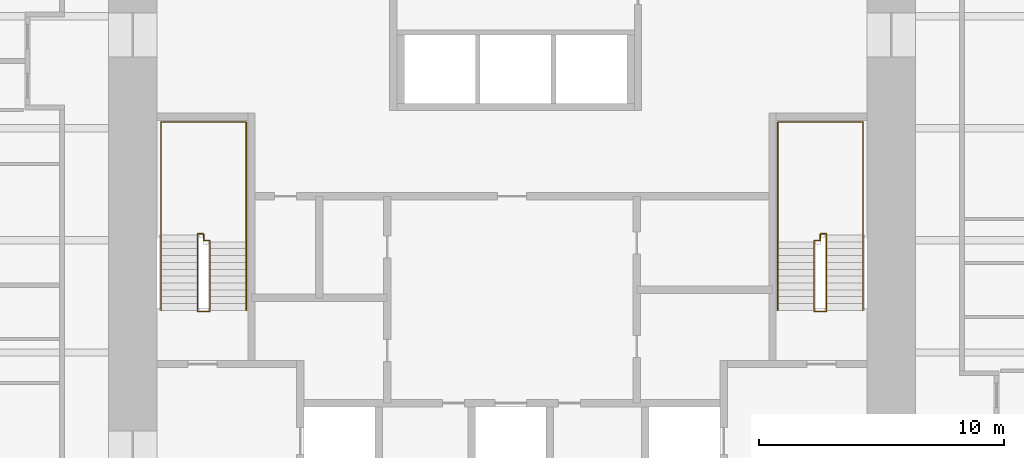
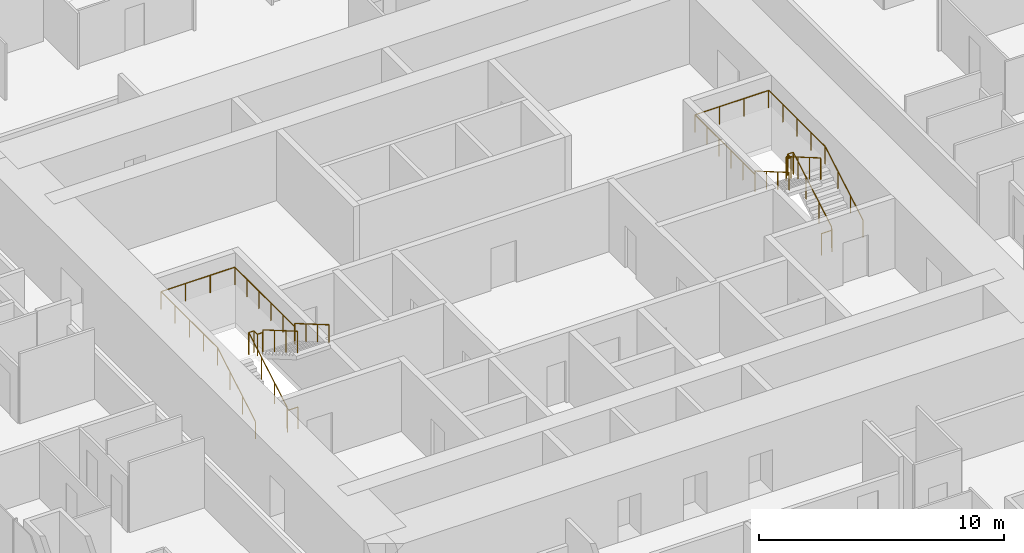
# One storey, part 12 of 12: 4 railings.
"""IFC4 building model written with IfcOpenShell, lengths in metres."""

import ifcopenshell
import ifcopenshell.guid

model = None  # the IFC model being written
_history = None  # IfcOwnerHistory: only IFC2X3 demands one
_inside = {}  # id of a spatial element -> (the spatial element, [elements in it])
_under = {}  # id of a project, library or spatial element -> (it, [spatial elements below it])
_declared = {}  # id of a project -> (the project, [libraries it declares])
_typed = {}  # id of a type object -> (the type object, [elements of that type])
_made_of = {}  # id of a material, layer set ... -> (it, [elements and type objects made of it])


def new_model(schema):
    """Start an empty IFC model of exactly this schema.

    Asked for "IFC4X3", IfcOpenShell would pick the latest addendum, in which some entities
    have other attributes; the version numbers below select the first issue.
    IFC2X3 requires an IfcOwnerHistory on every rooted entity: one is made here for all.
    """
    global model, _history
    if schema == "IFC4X3":
        model = ifcopenshell.file(schema_version=(4, 3, 0, 0))
    else:
        model = ifcopenshell.file(schema=schema)
    _inside.clear()
    _under.clear()
    _declared.clear()
    _typed.clear()
    _made_of.clear()
    _history = None
    if model.schema == "IFC2X3":
        org = make("IfcOrganization", Name="unknown")
        user = make(
            "IfcPersonAndOrganization",
            ThePerson=make("IfcPerson", FamilyName="unknown"),
            TheOrganization=org,
        )
        app = make(
            "IfcApplication",
            ApplicationDeveloper=org,
            Version="unknown",
            ApplicationFullName="unknown",
            ApplicationIdentifier="unknown",
        )
        _history = make(
            "IfcOwnerHistory",
            OwningUser=user,
            OwningApplication=app,
            ChangeAction="ADDED",
            CreationDate=0,
        )
    return model


def make(cls, **values):
    """One entity of the class cls with the attributes given. An attribute that is None is left unset."""
    return model.create_entity(
        cls, **{name: value for name, value in values.items() if value is not None}
    )


def rooted(cls, **values):
    """An entity with a GlobalId (a new one), such as an element, a storey or a relation."""
    return make(cls, GlobalId=ifcopenshell.guid.new(), OwnerHistory=_history, **values)


def si_unit(unit_type, name, prefix=None):
    """IfcSIUnit, for example si_unit("LENGTHUNIT", "METRE", prefix="MILLI")."""
    return make("IfcSIUnit", UnitType=unit_type, Prefix=prefix, Name=name)


def assignment(units):
    """IfcUnitAssignment: the units of a project."""
    return None if units is None else make("IfcUnitAssignment", Units=units)


def point(xyz):
    """IfcCartesianPoint."""
    return None if xyz is None else make("IfcCartesianPoint", Coordinates=xyz)


def direction(xyz):
    """IfcDirection."""
    return None if xyz is None else make("IfcDirection", DirectionRatios=xyz)


def frame(location, z_axis=None, x_axis=None):
    """IfcAxis2Placement3D, a coordinate frame: its origin and axes. An axis left out is left unset."""
    return make(
        "IfcAxis2Placement3D",
        Location=point(location),
        Axis=direction(z_axis),
        RefDirection=direction(x_axis),
    )


def frame_2d(location, x_axis=None):
    """IfcAxis2Placement2D, a coordinate frame in the plane: its origin and x axis."""
    return make(
        "IfcAxis2Placement2D", Location=point(location), RefDirection=direction(x_axis)
    )


def origin():
    """The frame at (0, 0, 0) with its axes left unset."""
    return frame((0.0, 0.0, 0.0))


def origin_2d():
    """The frame at (0, 0) in the plane with its x axis left unset."""
    return frame_2d((0.0, 0.0))


def place(relative_to, where):
    """IfcLocalPlacement: puts the frame where relative to a parent placement (None: the world)."""
    return make(
        "IfcLocalPlacement", PlacementRelTo=relative_to, RelativePlacement=where
    )


def context(
    kind, dimensions, precision=None, world=None, true_north=None, identifier=None
):
    """IfcGeometricRepresentationContext, for example the 3D "Model" context."""
    return make(
        "IfcGeometricRepresentationContext",
        ContextIdentifier=identifier,
        ContextType=kind,
        CoordinateSpaceDimension=dimensions,
        Precision=precision,
        WorldCoordinateSystem=world,
        TrueNorth=true_north,
    )


def subcontext(parent, identifier, kind, view, scale=None):
    """IfcGeometricRepresentationSubContext, for example "Body" below "Model"."""
    return make(
        "IfcGeometricRepresentationSubContext",
        ContextIdentifier=identifier,
        ContextType=kind,
        ParentContext=parent,
        TargetScale=scale,
        TargetView=view,
    )


def project(units=None, contexts=None):
    """IfcProject with its units and contexts."""
    return rooted(
        "IfcProject",
        Name="project",
        RepresentationContexts=contexts,
        UnitsInContext=assignment(units),
    )


def spatial(cls, under=None, at=None, **own):
    """A site, building, storey or space (cls), placed at a placement, below another one or the project."""
    s = rooted(cls, ObjectPlacement=at, **own)
    if under is not None:
        _under.setdefault(under.id(), (under, []))[1].append(s)
    return s


def profile(cls, at=None, kind="AREA", **sizes):
    """A parametric profile (cls). Its sizes go by their IFC names, for example OverallWidth=200.0."""
    return make(cls, ProfileType=kind, Position=at, **sizes)


def circle(**sizes):
    """IfcCircleProfileDef."""
    return profile("IfcCircleProfileDef", **sizes)


def extrude(swept, where, along, depth):
    """IfcExtrudedAreaSolid: the profile swept, set in the frame where, extruded along a direction by depth."""
    return make(
        "IfcExtrudedAreaSolid",
        SweptArea=swept,
        Position=where,
        ExtrudedDirection=direction(along),
        Depth=depth,
    )


def shape(context_of_items, identifier, shape_type, items):
    """IfcShapeRepresentation: the items that make up one representation, for example the "Body"."""
    return make(
        "IfcShapeRepresentation",
        ContextOfItems=context_of_items,
        RepresentationIdentifier=identifier,
        RepresentationType=shape_type,
        Items=items,
    )


def material(Name=None, Category=None):
    """IfcMaterial."""
    return make("IfcMaterial", Name=Name, Category=Category)


def made_of(thing, what):
    """Note that an element or type object is made of a material, layer set ...; save() writes the relation."""
    if what is not None:
        _made_of.setdefault(what.id(), (what, []))[1].append(thing)
    return thing


def type_object(cls, material=None, **own):
    """A type object (cls), such as IfcWallType, which elements share."""
    return made_of(rooted(cls, **own), material)


def element(
    cls,
    number,
    at=None,
    inside=None,
    cuts=None,
    type_object=None,
    material=None,
    context=None,
    identifier="Body",
    shape_type=None,
    held_by="IfcProductDefinitionShape",
    body=None,
    shapes=None,
    **own,
):
    """One element of the class cls, such as IfcWall. Its Tag is "e" and its number.

    at: its placement. inside: the storey or other place that contains it. cuts: it is an
    opening in that element (IfcRelVoidsElement). A single representation is given by context,
    identifier, shape_type and body (its items); several are given by shapes. held_by: the class
    of the entity that holds the representations. save() writes the other relations.
    """
    e = rooted(cls, Tag="e%d" % number, ObjectPlacement=at, **own)
    if body is not None:
        shapes = [shape(context, identifier, shape_type, body)]
    if shapes is not None:
        e.Representation = make(held_by, Representations=shapes)
    if inside is not None:
        _inside.setdefault(inside.id(), (inside, []))[1].append(e)
    if cuts is not None:
        rooted(
            "IfcRelVoidsElement", RelatingBuildingElement=cuts, RelatedOpeningElement=e
        )
    if type_object is not None:
        _typed.setdefault(type_object.id(), (type_object, []))[1].append(e)
    return made_of(e, material)


def aggregate(whole, parts):
    """IfcRelAggregates: a whole, such as a stair, and the parts it consists of."""
    return rooted("IfcRelAggregates", RelatingObject=whole, RelatedObjects=parts)


def save(model, path):
    """Write the relations noted so far, then the file.

    IfcRelAggregates (storeys below a building ...), IfcRelContainedInSpatialStructure (elements
    in a storey), IfcRelDefinesByType, IfcRelAssociatesMaterial and IfcRelDeclares: one each for
    every whole, place, type object, material and project.
    """
    for whole, parts in _under.values():
        aggregate(whole, parts)
    for where, things in _inside.values():
        rooted(
            "IfcRelContainedInSpatialStructure",
            RelatedElements=things,
            RelatingStructure=where,
        )
    for kind, things in _typed.values():
        rooted("IfcRelDefinesByType", RelatedObjects=things, RelatingType=kind)
    for what, things in _made_of.values():
        rooted("IfcRelAssociatesMaterial", RelatedObjects=things, RelatingMaterial=what)
    for by, libraries in _declared.values():
        rooted("IfcRelDeclares", RelatingContext=by, RelatedDefinitions=libraries)
    model.write(path)


model = new_model("IFC4")

# Units and contexts
model_context = context("Model", 3, precision=1e-05, world=origin(), true_north=direction((0.0, 1.0)))
body_context = subcontext(model_context, "Body", "Model", "MODEL_VIEW")
ifc_project = project(units=[si_unit("LENGTHUNIT", "METRE"), si_unit("AREAUNIT", "SQUARE_METRE"), si_unit("VOLUMEUNIT", "CUBIC_METRE"), si_unit("PLANEANGLEUNIT", "RADIAN"), si_unit("MASSUNIT", "GRAM", prefix="KILO")], contexts=[model_context])

# Site, building, storey
site_placement = place(None, origin())
site = spatial("IfcSite", under=ifc_project, at=site_placement, CompositionType="ELEMENT")
building_placement = place(site_placement, origin())
building = spatial("IfcBuilding", under=site, at=building_placement, Name="Khuree Lantern Residences", CompositionType="ELEMENT")
storey_placement = place(building_placement, frame((0.0, 0.0, 178.5)))
storey = spatial("IfcBuildingStorey", under=building, at=storey_placement, Name="L45", CompositionType="ELEMENT", Elevation=178.5)

# Railings
ifc_material = material(Name="Steel S355", Category="steel")
railing_type_1 = type_object("IfcRailingType", Name="STAIR GUARD G1 1100", PredefinedType="GUARDRAIL", material=ifc_material)
railing_1_placement = place(storey_placement, frame((-12.35009765625, -2.909912109375, 0.0)))
element("IfcRailing", 1, at=railing_1_placement, inside=storey, type_object=railing_type_1, Name="Stair ST1 guard", PredefinedType="GUARDRAIL", context=body_context, shape_type="SweptSolid", body=[
    extrude(circle(Radius=0.02392578125, at=origin_2d()), frame((0.0, 0.0, 1.076171875), z_axis=(-1.0, 0.0, 0.0), x_axis=(0.0, -1.0, 0.0)), (0.0, 0.0, 1.0), 0.5),
    extrude(circle(Radius=0.02392578125, at=origin_2d()), frame((-0.5, 0.0, 1.076171875), z_axis=(0.0, 0.292073035251, 0.95639601739), x_axis=(-1.0, 0.0, 0.0)), (0.0, 0.0, 1.0), 0.17041015625),
    extrude(circle(Radius=0.02392578125, at=origin_2d()), frame((-0.5, 0.0498046875, 1.2392578125), z_axis=(0.0, 0.864176135923, 0.503189433615), x_axis=(-1.0, 0.0, 0.0)), (0.0, 0.0, 1.0), 3.564208984375),
    extrude(circle(Radius=0.02392578125, at=origin_2d()), frame((-0.5, 3.1298828125, 3.03271484375), z_axis=(0.0, 1.0, 0.0), x_axis=(-1.0, 0.0, 0.0)), (0.0, 0.0, 1.0), 0.050048828125),
    extrude(circle(Radius=0.02392578125, at=origin_2d()), frame((-0.5, 3.179931640625, 3.03271484375), z_axis=(1.0, 0.0, 0.0), x_axis=(0.0, 1.0, 0.0)), (0.0, 0.0, 1.0), 0.25),
    extrude(circle(Radius=0.02392578125, at=origin_2d()), frame((-0.25, 3.179931640625, 3.03271484375), z_axis=(0.0, -1.0, 0.0), x_axis=(1.0, 0.0, 0.0)), (0.0, 0.0, 1.0), 0.280029296875),
    extrude(circle(Radius=0.02392578125, at=origin_2d()), frame((-0.25, 2.89990234375, 3.03271484375), z_axis=(1.0, 0.0, 0.0), x_axis=(0.0, 1.0, 0.0)), (0.0, 0.0, 1.0), 0.25),
    extrude(circle(Radius=0.02392578125, at=origin_2d()), frame((0.0, 2.89990234375, 3.03271484375), z_axis=(0.0, -0.293381807449, 0.955995353053), x_axis=(1.0, 0.0, 0.0)), (0.0, 0.0, 1.0), 0.170654296875),
    extrude(circle(Radius=0.02392578125, at=origin_2d()), frame((0.0, 2.849853515625, 3.19580078125), z_axis=(0.0, -0.864180358799, 0.503182181189), x_axis=(1.0, 0.0, 0.0)), (0.0, 0.0, 1.0), 3.240234375),
    extrude(circle(Radius=0.02099609375, at=origin_2d()), origin(), (0.0, 0.0, 1.0), 1.052001953125),
    extrude(circle(Radius=0.02099609375, at=origin_2d()), frame((-0.5, 0.0, 0.0)), (0.0, 0.0, 1.0), 1.052001953125),
    extrude(circle(Radius=0.02099609375, at=origin_2d()), frame((-0.5, 0.0498046875, 0.1630859375)), (0.0, 0.0, 1.0), 1.052001953125),
    extrude(circle(Radius=0.02099609375, at=origin_2d()), frame((-0.5, 1.076416015625, 0.760986328125)), (0.0, 0.0, 1.0), 1.052001953125),
    extrude(circle(Radius=0.02099609375, at=origin_2d()), frame((-0.5, 2.103271484375, 1.358642578125)), (0.0, 0.0, 1.0), 1.052001953125),
    extrude(circle(Radius=0.02099609375, at=origin_2d()), frame((-0.5, 3.1298828125, 1.95654296875)), (0.0, 0.0, 1.0), 1.052001953125),
    extrude(circle(Radius=0.02099609375, at=origin_2d()), frame((-0.5, 3.179931640625, 1.95654296875)), (0.0, 0.0, 1.0), 1.052001953125),
    extrude(circle(Radius=0.02099609375, at=origin_2d()), frame((-0.25, 3.179931640625, 1.95654296875)), (0.0, 0.0, 1.0), 1.052001953125),
    extrude(circle(Radius=0.02099609375, at=origin_2d()), frame((-0.25, 2.89990234375, 1.95654296875)), (0.0, 0.0, 1.0), 1.052001953125),
    extrude(circle(Radius=0.02099609375, at=origin_2d()), frame((0.0, 2.89990234375, 1.95654296875)), (0.0, 0.0, 1.0), 1.052001953125),
    extrude(circle(Radius=0.02099609375, at=origin_2d()), frame((0.0, 2.849853515625, 2.11962890625)), (0.0, 0.0, 1.0), 1.052001953125),
    extrude(circle(Radius=0.02099609375, at=origin_2d()), frame((0.0, 1.91650390625, 2.6630859375)), (0.0, 0.0, 1.0), 1.052001953125),
    extrude(circle(Radius=0.02099609375, at=origin_2d()), frame((0.0, 0.983154296875, 3.20654296875)), (0.0, 0.0, 1.0), 1.052001953125),
    extrude(circle(Radius=0.02099609375, at=origin_2d()), frame((0.0, 0.0498046875, 3.75)), (0.0, 0.0, 1.0), 1.052001953125),
])
railing_2_placement = place(storey_placement, frame((12.35009765625, -2.909912109375, 0.0)))
element("IfcRailing", 2, at=railing_2_placement, inside=storey, type_object=railing_type_1, Name="Stair ST2 guard", PredefinedType="GUARDRAIL", context=body_context, shape_type="SweptSolid", body=[
    extrude(circle(Radius=0.02392578125, at=origin_2d()), frame((0.0, 0.0, 1.076171875), z_axis=(1.0, 0.0, 0.0), x_axis=(0.0, 1.0, 0.0)), (0.0, 0.0, 1.0), 0.5),
    extrude(circle(Radius=0.02392578125, at=origin_2d()), frame((0.5, 0.0, 1.076171875), z_axis=(0.0, 0.292073035251, 0.95639601739), x_axis=(-1.0, 0.0, 0.0)), (0.0, 0.0, 1.0), 0.17041015625),
    extrude(circle(Radius=0.02392578125, at=origin_2d()), frame((0.5, 0.0498046875, 1.2392578125), z_axis=(0.0, 0.864176135923, 0.503189433615), x_axis=(-1.0, 0.0, 0.0)), (0.0, 0.0, 1.0), 3.564208984375),
    extrude(circle(Radius=0.02392578125, at=origin_2d()), frame((0.5, 3.1298828125, 3.03271484375), z_axis=(0.0, 1.0, 0.0), x_axis=(-1.0, 0.0, 0.0)), (0.0, 0.0, 1.0), 0.050048828125),
    extrude(circle(Radius=0.02392578125, at=origin_2d()), frame((0.5, 3.179931640625, 3.03271484375), z_axis=(-1.0, 0.0, 0.0), x_axis=(0.0, -1.0, 0.0)), (0.0, 0.0, 1.0), 0.25),
    extrude(circle(Radius=0.02392578125, at=origin_2d()), frame((0.25, 3.179931640625, 3.03271484375), z_axis=(0.0, -1.0, 0.0), x_axis=(1.0, 0.0, 0.0)), (0.0, 0.0, 1.0), 0.280029296875),
    extrude(circle(Radius=0.02392578125, at=origin_2d()), frame((0.25, 2.89990234375, 3.03271484375), z_axis=(-1.0, 0.0, 0.0), x_axis=(0.0, -1.0, 0.0)), (0.0, 0.0, 1.0), 0.25),
    extrude(circle(Radius=0.02392578125, at=origin_2d()), frame((0.0, 2.89990234375, 3.03271484375), z_axis=(0.0, -0.293381807449, 0.955995353053), x_axis=(1.0, 0.0, 0.0)), (0.0, 0.0, 1.0), 0.170654296875),
    extrude(circle(Radius=0.02392578125, at=origin_2d()), frame((0.0, 2.849853515625, 3.19580078125), z_axis=(0.0, -0.864180358799, 0.503182181189), x_axis=(1.0, 0.0, 0.0)), (0.0, 0.0, 1.0), 3.240234375),
    extrude(circle(Radius=0.02099609375, at=origin_2d()), origin(), (0.0, 0.0, 1.0), 1.052001953125),
    extrude(circle(Radius=0.02099609375, at=origin_2d()), frame((0.5, 0.0, 0.0)), (0.0, 0.0, 1.0), 1.052001953125),
    extrude(circle(Radius=0.02099609375, at=origin_2d()), frame((0.5, 0.0498046875, 0.1630859375)), (0.0, 0.0, 1.0), 1.052001953125),
    extrude(circle(Radius=0.02099609375, at=origin_2d()), frame((0.5, 1.076416015625, 0.760986328125)), (0.0, 0.0, 1.0), 1.052001953125),
    extrude(circle(Radius=0.02099609375, at=origin_2d()), frame((0.5, 2.103271484375, 1.358642578125)), (0.0, 0.0, 1.0), 1.052001953125),
    extrude(circle(Radius=0.02099609375, at=origin_2d()), frame((0.5, 3.1298828125, 1.95654296875)), (0.0, 0.0, 1.0), 1.052001953125),
    extrude(circle(Radius=0.02099609375, at=origin_2d()), frame((0.5, 3.179931640625, 1.95654296875)), (0.0, 0.0, 1.0), 1.052001953125),
    extrude(circle(Radius=0.02099609375, at=origin_2d()), frame((0.25, 3.179931640625, 1.95654296875)), (0.0, 0.0, 1.0), 1.052001953125),
    extrude(circle(Radius=0.02099609375, at=origin_2d()), frame((0.25, 2.89990234375, 1.95654296875)), (0.0, 0.0, 1.0), 1.052001953125),
    extrude(circle(Radius=0.02099609375, at=origin_2d()), frame((0.0, 2.89990234375, 1.95654296875)), (0.0, 0.0, 1.0), 1.052001953125),
    extrude(circle(Radius=0.02099609375, at=origin_2d()), frame((0.0, 2.849853515625, 2.11962890625)), (0.0, 0.0, 1.0), 1.052001953125),
    extrude(circle(Radius=0.02099609375, at=origin_2d()), frame((0.0, 1.91650390625, 2.6630859375)), (0.0, 0.0, 1.0), 1.052001953125),
    extrude(circle(Radius=0.02099609375, at=origin_2d()), frame((0.0, 0.983154296875, 3.20654296875)), (0.0, 0.0, 1.0), 1.052001953125),
    extrude(circle(Radius=0.02099609375, at=origin_2d()), frame((0.0, 0.0498046875, 3.75)), (0.0, 0.0, 1.0), 1.052001953125),
])
railing_type_2 = type_object("IfcRailingType", Name="STAIR HANDRAIL H1 900", PredefinedType="HANDRAIL", material=ifc_material)
railing_3_placement = place(storey_placement, frame((-14.340087890625, -2.860107421875, 0.1630859375)))
element("IfcRailing", 3, at=railing_3_placement, inside=storey, type_object=railing_type_2, Name="Stair ST1 handrail", PredefinedType="HANDRAIL", context=body_context, shape_type="SweptSolid", body=[
    extrude(circle(Radius=0.02392578125, at=origin_2d()), frame((0.0, 0.0, 0.8759765625), z_axis=(0.0, 0.864176135923, 0.503189433615), x_axis=(-1.0, 0.0, 0.0)), (0.0, 0.0, 1.0), 3.564208984375),
    extrude(circle(Radius=0.02392578125, at=origin_2d()), frame((0.0, 3.080078125, 2.66943359375), z_axis=(0.0, 1.0, 0.0), x_axis=(-1.0, 0.0, 0.0)), (0.0, 0.0, 1.0), 4.6201171875),
    extrude(circle(Radius=0.02392578125, at=origin_2d()), frame((0.0, 7.7001953125, 2.66943359375), z_axis=(1.0, 0.0, 0.0), x_axis=(0.0, 1.0, 0.0)), (0.0, 0.0, 1.0), 3.47998046875),
    extrude(circle(Radius=0.02392578125, at=origin_2d()), frame((3.47998046875, 7.7001953125, 2.66943359375), z_axis=(0.0, -1.0, 0.0), x_axis=(1.0, 0.0, 0.0)), (0.0, 0.0, 1.0), 4.900146484375),
    extrude(circle(Radius=0.02392578125, at=origin_2d()), frame((3.47998046875, 2.800048828125, 2.66943359375), z_axis=(0.0, 0.0, 1.0), x_axis=(1.0, 0.0, 0.0)), (0.0, 0.0, 1.0), 0.1630859375),
    extrude(circle(Radius=0.02392578125, at=origin_2d()), frame((3.47998046875, 2.800048828125, 2.83251953125), z_axis=(0.0, -0.864180358799, 0.503182181189), x_axis=(1.0, 0.0, 0.0)), (0.0, 0.0, 1.0), 3.240234375),
    extrude(circle(Radius=0.02099609375, at=origin_2d()), origin(), (0.0, 0.0, 1.0), 0.851806640625),
    extrude(circle(Radius=0.02099609375, at=origin_2d()), frame((0.0, 1.026611328125, 0.597900390625)), (0.0, 0.0, 1.0), 0.851806640625),
    extrude(circle(Radius=0.02099609375, at=origin_2d()), frame((0.0, 2.053466796875, 1.195556640625)), (0.0, 0.0, 1.0), 0.851806640625),
    extrude(circle(Radius=0.02099609375, at=origin_2d()), frame((0.0, 3.080078125, 1.79345703125)), (0.0, 0.0, 1.0), 0.851806640625),
    extrude(circle(Radius=0.02099609375, at=origin_2d()), frame((0.0, 4.235107421875, 1.79345703125)), (0.0, 0.0, 1.0), 0.851806640625),
    extrude(circle(Radius=0.02099609375, at=origin_2d()), frame((0.0, 5.39013671875, 1.79345703125)), (0.0, 0.0, 1.0), 0.851806640625),
    extrude(circle(Radius=0.02099609375, at=origin_2d()), frame((0.0, 6.545166015625, 1.79345703125)), (0.0, 0.0, 1.0), 0.851806640625),
    extrude(circle(Radius=0.02099609375, at=origin_2d()), frame((0.0, 7.7001953125, 1.79345703125)), (0.0, 0.0, 1.0), 0.851806640625),
    extrude(circle(Radius=0.02099609375, at=origin_2d()), frame((1.159912109375, 7.7001953125, 1.79345703125)), (0.0, 0.0, 1.0), 0.851806640625),
    extrude(circle(Radius=0.02099609375, at=origin_2d()), frame((2.320068359375, 7.7001953125, 1.79345703125)), (0.0, 0.0, 1.0), 0.851806640625),
    extrude(circle(Radius=0.02099609375, at=origin_2d()), frame((3.47998046875, 7.7001953125, 1.79345703125)), (0.0, 0.0, 1.0), 0.851806640625),
    extrude(circle(Radius=0.02099609375, at=origin_2d()), frame((3.47998046875, 6.72021484375, 1.79345703125)), (0.0, 0.0, 1.0), 0.851806640625),
    extrude(circle(Radius=0.02099609375, at=origin_2d()), frame((3.47998046875, 5.740234375, 1.79345703125)), (0.0, 0.0, 1.0), 0.851806640625),
    extrude(circle(Radius=0.02099609375, at=origin_2d()), frame((3.47998046875, 4.760009765625, 1.79345703125)), (0.0, 0.0, 1.0), 0.851806640625),
    extrude(circle(Radius=0.02099609375, at=origin_2d()), frame((3.47998046875, 3.780029296875, 1.79345703125)), (0.0, 0.0, 1.0), 0.851806640625),
    extrude(circle(Radius=0.02099609375, at=origin_2d()), frame((3.47998046875, 2.800048828125, 1.79345703125)), (0.0, 0.0, 1.0), 0.851806640625),
    extrude(circle(Radius=0.02099609375, at=origin_2d()), frame((3.47998046875, 2.800048828125, 1.95654296875)), (0.0, 0.0, 1.0), 0.851806640625),
    extrude(circle(Radius=0.02099609375, at=origin_2d()), frame((3.47998046875, 1.86669921875, 2.5)), (0.0, 0.0, 1.0), 0.851806640625),
    extrude(circle(Radius=0.02099609375, at=origin_2d()), frame((3.47998046875, 0.933349609375, 3.04345703125)), (0.0, 0.0, 1.0), 0.851806640625),
    extrude(circle(Radius=0.02099609375, at=origin_2d()), frame((3.47998046875, 0.0, 3.5869140625)), (0.0, 0.0, 1.0), 0.851806640625),
])
railing_4_placement = place(storey_placement, frame((14.340087890625, -2.860107421875, 0.1630859375)))
element("IfcRailing", 4, at=railing_4_placement, inside=storey, type_object=railing_type_2, Name="Stair ST2 handrail", PredefinedType="HANDRAIL", context=body_context, shape_type="SweptSolid", body=[
    extrude(circle(Radius=0.02392578125, at=origin_2d()), frame((0.0, 0.0, 0.8759765625), z_axis=(0.0, 0.864176135923, 0.503189433615), x_axis=(-1.0, 0.0, 0.0)), (0.0, 0.0, 1.0), 3.564208984375),
    extrude(circle(Radius=0.02392578125, at=origin_2d()), frame((0.0, 3.080078125, 2.66943359375), z_axis=(0.0, 1.0, 0.0), x_axis=(-1.0, 0.0, 0.0)), (0.0, 0.0, 1.0), 4.6201171875),
    extrude(circle(Radius=0.02392578125, at=origin_2d()), frame((0.0, 7.7001953125, 2.66943359375), z_axis=(-1.0, 0.0, 0.0), x_axis=(0.0, -1.0, 0.0)), (0.0, 0.0, 1.0), 3.47998046875),
    extrude(circle(Radius=0.02392578125, at=origin_2d()), frame((-3.47998046875, 7.7001953125, 2.66943359375), z_axis=(0.0, -1.0, 0.0), x_axis=(1.0, 0.0, 0.0)), (0.0, 0.0, 1.0), 4.900146484375),
    extrude(circle(Radius=0.02392578125, at=origin_2d()), frame((-3.47998046875, 2.800048828125, 2.66943359375), z_axis=(0.0, 0.0, 1.0), x_axis=(1.0, 0.0, 0.0)), (0.0, 0.0, 1.0), 0.1630859375),
    extrude(circle(Radius=0.02392578125, at=origin_2d()), frame((-3.47998046875, 2.800048828125, 2.83251953125), z_axis=(0.0, -0.864180358799, 0.503182181189), x_axis=(1.0, 0.0, 0.0)), (0.0, 0.0, 1.0), 3.240234375),
    extrude(circle(Radius=0.02099609375, at=origin_2d()), origin(), (0.0, 0.0, 1.0), 0.851806640625),
    extrude(circle(Radius=0.02099609375, at=origin_2d()), frame((0.0, 1.026611328125, 0.597900390625)), (0.0, 0.0, 1.0), 0.851806640625),
    extrude(circle(Radius=0.02099609375, at=origin_2d()), frame((0.0, 2.053466796875, 1.195556640625)), (0.0, 0.0, 1.0), 0.851806640625),
    extrude(circle(Radius=0.02099609375, at=origin_2d()), frame((0.0, 3.080078125, 1.79345703125)), (0.0, 0.0, 1.0), 0.851806640625),
    extrude(circle(Radius=0.02099609375, at=origin_2d()), frame((0.0, 4.235107421875, 1.79345703125)), (0.0, 0.0, 1.0), 0.851806640625),
    extrude(circle(Radius=0.02099609375, at=origin_2d()), frame((0.0, 5.39013671875, 1.79345703125)), (0.0, 0.0, 1.0), 0.851806640625),
    extrude(circle(Radius=0.02099609375, at=origin_2d()), frame((0.0, 6.545166015625, 1.79345703125)), (0.0, 0.0, 1.0), 0.851806640625),
    extrude(circle(Radius=0.02099609375, at=origin_2d()), frame((0.0, 7.7001953125, 1.79345703125)), (0.0, 0.0, 1.0), 0.851806640625),
    extrude(circle(Radius=0.02099609375, at=origin_2d()), frame((-1.159912109375, 7.7001953125, 1.79345703125)), (0.0, 0.0, 1.0), 0.851806640625),
    extrude(circle(Radius=0.02099609375, at=origin_2d()), frame((-2.320068359375, 7.7001953125, 1.79345703125)), (0.0, 0.0, 1.0), 0.851806640625),
    extrude(circle(Radius=0.02099609375, at=origin_2d()), frame((-3.47998046875, 7.7001953125, 1.79345703125)), (0.0, 0.0, 1.0), 0.851806640625),
    extrude(circle(Radius=0.02099609375, at=origin_2d()), frame((-3.47998046875, 6.72021484375, 1.79345703125)), (0.0, 0.0, 1.0), 0.851806640625),
    extrude(circle(Radius=0.02099609375, at=origin_2d()), frame((-3.47998046875, 5.740234375, 1.79345703125)), (0.0, 0.0, 1.0), 0.851806640625),
    extrude(circle(Radius=0.02099609375, at=origin_2d()), frame((-3.47998046875, 4.760009765625, 1.79345703125)), (0.0, 0.0, 1.0), 0.851806640625),
    extrude(circle(Radius=0.02099609375, at=origin_2d()), frame((-3.47998046875, 3.780029296875, 1.79345703125)), (0.0, 0.0, 1.0), 0.851806640625),
    extrude(circle(Radius=0.02099609375, at=origin_2d()), frame((-3.47998046875, 2.800048828125, 1.79345703125)), (0.0, 0.0, 1.0), 0.851806640625),
    extrude(circle(Radius=0.02099609375, at=origin_2d()), frame((-3.47998046875, 2.800048828125, 1.95654296875)), (0.0, 0.0, 1.0), 0.851806640625),
    extrude(circle(Radius=0.02099609375, at=origin_2d()), frame((-3.47998046875, 1.86669921875, 2.5)), (0.0, 0.0, 1.0), 0.851806640625),
    extrude(circle(Radius=0.02099609375, at=origin_2d()), frame((-3.47998046875, 0.933349609375, 3.04345703125)), (0.0, 0.0, 1.0), 0.851806640625),
    extrude(circle(Radius=0.02099609375, at=origin_2d()), frame((-3.47998046875, 0.0, 3.5869140625)), (0.0, 0.0, 1.0), 0.851806640625),
])

save(model, "model.ifc")
